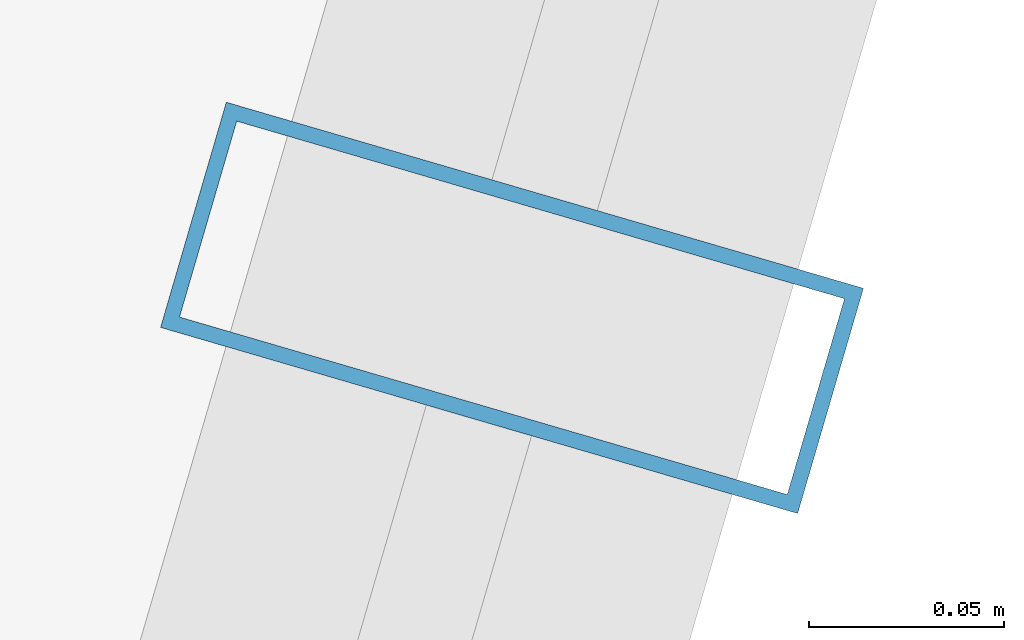
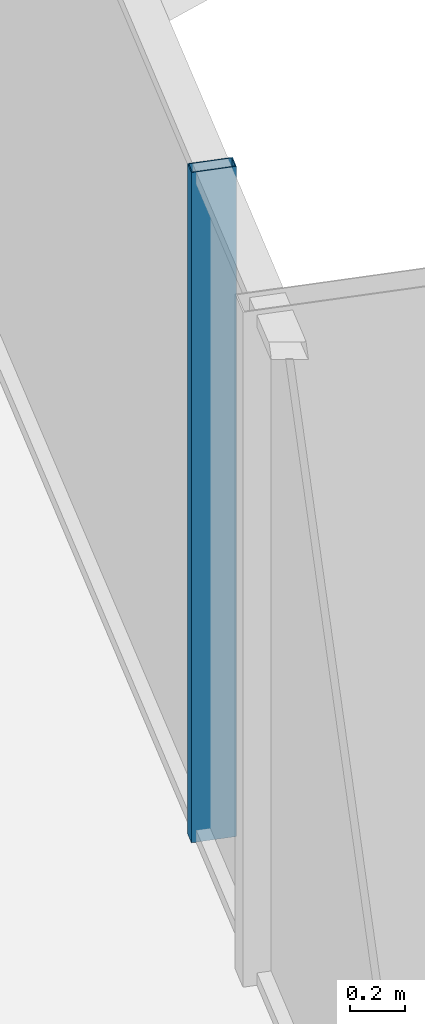
# One storey, part 17 of 37: 1 member, 1 element without a shape of its own.
"""IFC4 building model written with IfcOpenShell, lengths in metres."""

from ifc_helpers import new_model, si_unit, direction, frame, origin, origin_2d, place, context, subcontext, project, spatial, hollow_rectangle, extrude, source, transform, mapped, material, layer, layer_set, material_profile, profile_set, type_object, element, aggregate, save


model = new_model("IFC4")

# Units and contexts
model_context = context("Model", 3, precision=1e-05, world=origin(), true_north=direction((0.0, 1.0)))
body_context = subcontext(model_context, "Body", "Model", "MODEL_VIEW")
ifc_project = project(units=[si_unit("LENGTHUNIT", "METRE"), si_unit("AREAUNIT", "SQUARE_METRE"), si_unit("VOLUMEUNIT", "CUBIC_METRE"), si_unit("PLANEANGLEUNIT", "RADIAN"), si_unit("MASSUNIT", "GRAM", prefix="KILO")], contexts=[model_context])

# Site, building, storey
site_placement = place(None, origin())
site = spatial("IfcSite", under=ifc_project, at=site_placement, CompositionType="ELEMENT")
building_placement = place(site_placement, origin())
building = spatial("IfcBuilding", under=site, at=building_placement, Name="Veraguas Prism Commons", CompositionType="ELEMENT")
storey_placement = place(building_placement, frame((0.0, 0.0, 70.60009765625)))
storey = spatial("IfcBuildingStorey", under=building, at=storey_placement, Name="L19", CompositionType="ELEMENT", Elevation=70.60009765625)

# Curtain wall, member
ifc_material = material(Name="Anodised aluminium EN AW-6063 T6", Category="aluminium")
ifc_layer = layer(ifc_material, 0.169921875, Name="Unitised Flush Curtain Wall Zone 1", Category="aluminium")
ifc_layer_set = layer_set([ifc_layer], Name="Anodised aluminium EN AW-6063 T6")
curtain_wall_type = type_object("IfcCurtainWallType", Name="Unitised Flush Curtain Wall Zone 1", PredefinedType="NOTDEFINED", material=ifc_layer_set)
curtain_wall_placement = place(storey_placement, origin())
curtain_wall = element("IfcCurtainWall", 1, at=curtain_wall_placement, inside=storey, type_object=curtain_wall_type, Name="Tower Facade Curtain Wall L19-F6", PredefinedType="NOTDEFINED")
ifc_material_profile = material_profile(ifc_material, hollow_rectangle(XDim=0.06005859375, YDim=0.169921875, WallThickness=0.00390625, at=origin_2d()), Name="AL60X170X4")
ifc_profile_set = profile_set([ifc_material_profile], Name="Anodised aluminium EN AW-6063 T6")
member_type = type_object("IfcMemberType", Name="Curtain Wall Mullion Lower AL 60x170x4", PredefinedType="MULLION", material=ifc_profile_set)
shared_shape = source(origin(), body_context, "Body", "SweptSolid", [
    extrude(hollow_rectangle(XDim=0.06005859375, YDim=0.169921875, WallThickness=0.00390625, at=origin_2d()), origin(), (0.0, 0.0, 1.0), 3.0),
])
member_placement = place(storey_placement, frame((45.2607421875, 22.6572265625, 0.0), z_axis=(0.0, 0.0, 1.0), x_axis=(0.280333331925, 0.959902715389, 0.0)))
member = element("IfcMember", 2, at=member_placement, type_object=member_type, Name="CW-Z1 Mullion 4", PredefinedType="MULLION", context=body_context, shape_type="MappedRepresentation", body=[
    mapped(shared_shape, transform((0.0, 0.0, 0.0), scale=1.0)),
])
aggregate(curtain_wall, [member])

save(model, "model.ifc")
